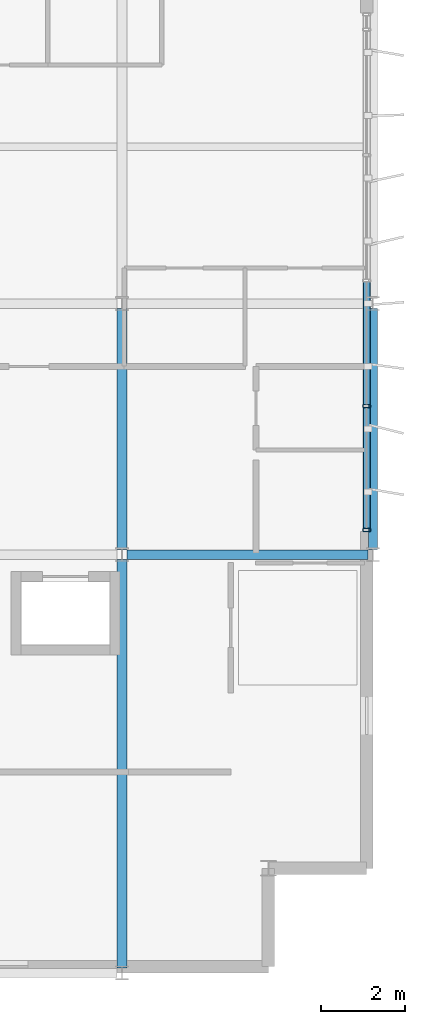
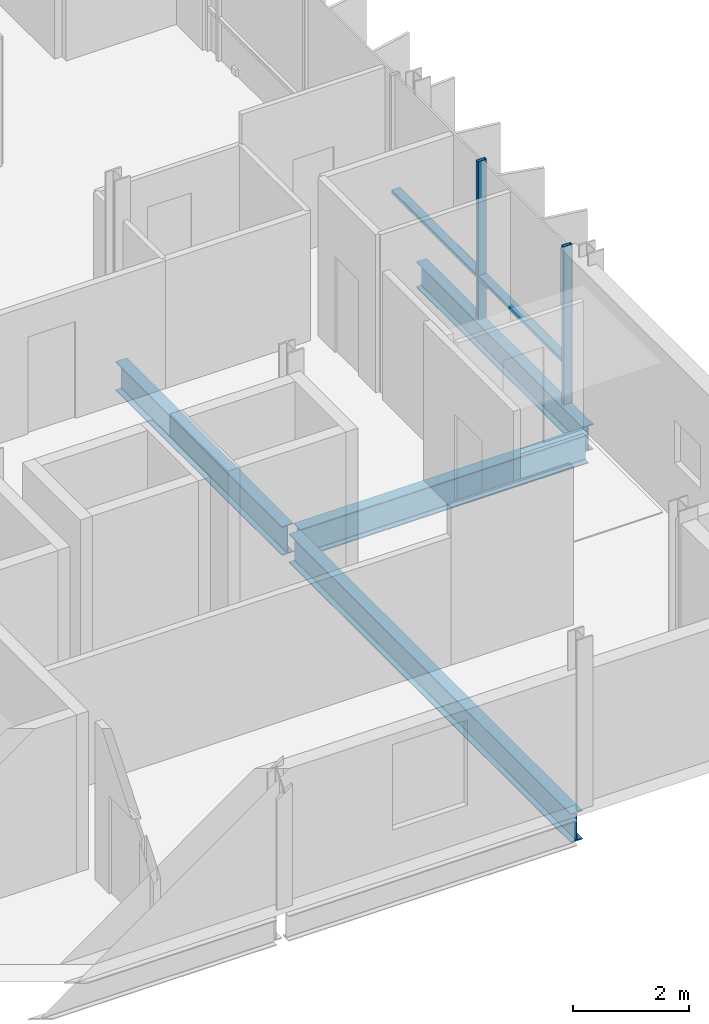
# One storey, part 8 of 18: 4 beams, 4 members, 1 element without a shape of its own.
"""IFC4 building model written with IfcOpenShell, lengths in metres."""

from ifc_helpers import new_model, si_unit, direction, frame, origin, origin_2d, place, context, subcontext, project, spatial, hollow_rectangle, i_section, extrude, material, layer, layer_set, material_profile, profile_set, type_object, element, aggregate, save


model = new_model("IFC4")

# Units and contexts
model_context = context("Model", 3, precision=1e-05, world=origin(), true_north=direction((0.0, 1.0)))
body_context = subcontext(model_context, "Body", "Model", "MODEL_VIEW")
ifc_project = project(units=[si_unit("LENGTHUNIT", "METRE"), si_unit("AREAUNIT", "SQUARE_METRE"), si_unit("VOLUMEUNIT", "CUBIC_METRE"), si_unit("PLANEANGLEUNIT", "RADIAN"), si_unit("MASSUNIT", "GRAM", prefix="KILO")], contexts=[model_context])

# Site, building, storey
site_placement = place(None, origin())
site = spatial("IfcSite", under=ifc_project, at=site_placement, CompositionType="ELEMENT")
building_placement = place(site_placement, origin())
building = spatial("IfcBuilding", under=site, at=building_placement, Name="Brevholm Reach", CompositionType="ELEMENT")
storey_placement = place(building_placement, frame((0.0, 0.0, 243.64990234375)))
storey = spatial("IfcBuildingStorey", under=building, at=storey_placement, Name="L74", CompositionType="ELEMENT", Elevation=243.64990234375)

# Beams
ifc_material_1 = material(Name="Structural Steel S355J2", Category="steel")
ifc_material_profile_1 = material_profile(ifc_material_1, i_section(OverallWidth=0.210693359375, OverallDepth=0.53955078125, WebThickness=0.01171875, FlangeThickness=0.018798828125, FilletRadius=0.0126953125, at=origin_2d()), Name="UKB 533x210x109")
ifc_profile_set_1 = profile_set([ifc_material_profile_1], Name="Structural Steel S355J2")
beam_type_1 = type_object("IfcBeamType", Name="BM-SP539", PredefinedType="SPANDREL", material=ifc_profile_set_1)
beam_1_placement = place(storey_placement, frame((60.0, 10.1201171875, -0.51953125), z_axis=(0.0, 1.0, 0.0), x_axis=(-1.0, 0.0, 0.0)))
element("IfcBeam", 1, at=beam_1_placement, inside=storey, type_object=beam_type_1, Name="L74 SP-01B Framing Beam", PredefinedType="SPANDREL", context=body_context, shape_type="SweptSolid", body=[
    extrude(i_section(OverallWidth=0.210693359375, OverallDepth=0.53955078125, WebThickness=0.01171875, FlangeThickness=0.018798828125, FilletRadius=0.0126953125, at=origin_2d()), origin(), (0.0, 0.0, 1.0), 5.759765625),
])
ifc_material_2 = material(Name="Structural Steel S355J2", Category="steel")
ifc_material_profile_2 = material_profile(ifc_material_2, i_section(OverallWidth=0.22900390625, OverallDepth=0.6123046875, WebThickness=0.011962890625, FlangeThickness=0.01953125, FilletRadius=0.0126953125, at=origin_2d()), Name="UKB 610x229x125")
ifc_profile_set_2 = profile_set([ifc_material_profile_2], Name="Structural Steel S355J2")
beam_type_2 = type_object("IfcBeamType", Name="BM-SP610", PredefinedType="SPANDREL", material=ifc_profile_set_2)
beam_2_placement = place(storey_placement, frame((54.1201171875, 10.0, -0.555908203125), z_axis=(1.0, 0.0, 0.0), x_axis=(0.0, 1.0, 0.0)))
element("IfcBeam", 2, at=beam_2_placement, inside=storey, type_object=beam_type_2, Name="L74 SP-01 Framing Beam", PredefinedType="SPANDREL", context=body_context, shape_type="SweptSolid", body=[
    extrude(i_section(OverallWidth=0.22900390625, OverallDepth=0.6123046875, WebThickness=0.011962890625, FlangeThickness=0.01953125, FilletRadius=0.0126953125, at=origin_2d()), origin(), (0.0, 0.0, 1.0), 5.759765625),
])
beam_3_placement = place(storey_placement, frame((54.0, 0.1201171875, -0.555908203125), z_axis=(0.0, 1.0, 0.0), x_axis=(-1.0, 0.0, 0.0)))
element("IfcBeam", 3, at=beam_3_placement, inside=storey, type_object=beam_type_2, Name="L74 SP-01 Framing Beam", PredefinedType="SPANDREL", context=body_context, shape_type="SweptSolid", body=[
    extrude(i_section(OverallWidth=0.22900390625, OverallDepth=0.6123046875, WebThickness=0.011962890625, FlangeThickness=0.01953125, FilletRadius=0.0126953125, at=origin_2d()), origin(), (0.0, 0.0, 1.0), 9.759765625),
])
beam_4_placement = place(storey_placement, frame((54.0, 10.1201171875, -0.555908203125), z_axis=(0.0, 1.0, 0.0), x_axis=(-1.0, 0.0, 0.0)))
element("IfcBeam", 4, at=beam_4_placement, inside=storey, type_object=beam_type_2, Name="L74 SP-01 Framing Beam", PredefinedType="SPANDREL", context=body_context, shape_type="SweptSolid", body=[
    extrude(i_section(OverallWidth=0.22900390625, OverallDepth=0.6123046875, WebThickness=0.011962890625, FlangeThickness=0.01953125, FilletRadius=0.0126953125, at=origin_2d()), origin(), (0.0, 0.0, 1.0), 5.759765625),
])

# Curtain wall, members
ifc_material_3 = material(Name="Dark Anodised Aluminium 6063-T6 and Solar-Control Glass", Category="aluminium")
ifc_layer = layer(ifc_material_3, 0.179931640625)
ifc_layer_set = layer_set([ifc_layer], Name="Dark Anodised Aluminium 6063-T6 and Solar-Control Glass")
curtain_wall_type = type_object("IfcCurtainWallType", Name="CW-05", PredefinedType="NOTDEFINED", material=ifc_layer_set)
curtain_wall_placement = place(storey_placement, origin())
curtain_wall = element("IfcCurtainWall", 5, at=curtain_wall_placement, inside=storey, type_object=curtain_wall_type, Name="L74 Curtain Wall CW-05", PredefinedType="NOTDEFINED")
ifc_material_4 = material(Name="Dark Anodised Aluminium 6063-T6", Category="aluminium")
ifc_material_profile_3 = material_profile(ifc_material_4, hollow_rectangle(XDim=0.074951171875, YDim=0.179931640625, WallThickness=0.006103515625, InnerFilletRadius=0.006103515625, OuterFilletRadius=0.011962890625, at=origin_2d()), Name="RHS 180x75x6")
ifc_profile_set_3 = profile_set([ifc_material_profile_3], Name="Dark Anodised Aluminium 6063-T6")
member_type_1 = type_object("IfcMemberType", Name="CWM-180", PredefinedType="MULLION", material=ifc_profile_set_3)
member_1_placement = place(storey_placement, frame((59.85009765625, 10.58740234375, 0.0), z_axis=(0.0, 0.0, 1.0), x_axis=(0.0, 1.0, 0.0)))
member_1 = element("IfcMember", 6, at=member_1_placement, type_object=member_type_1, Name="CM-180 Mullion 1", PredefinedType="MULLION", context=body_context, shape_type="SweptSolid", body=[
    extrude(hollow_rectangle(XDim=0.074951171875, YDim=0.179931640625, WallThickness=0.006103515625, InnerFilletRadius=0.006103515625, OuterFilletRadius=0.011962890625, at=origin_2d()), origin(), (0.0, 0.0, 1.0), 3.340087890625),
])
member_2_placement = place(storey_placement, frame((59.85009765625, 13.550048828125, 0.0), z_axis=(0.0, 0.0, 1.0), x_axis=(0.0, 1.0, 0.0)))
member_2 = element("IfcMember", 7, at=member_2_placement, type_object=member_type_1, Name="CM-180 Mullion 2", PredefinedType="MULLION", context=body_context, shape_type="SweptSolid", body=[
    extrude(hollow_rectangle(XDim=0.074951171875, YDim=0.179931640625, WallThickness=0.006103515625, InnerFilletRadius=0.006103515625, OuterFilletRadius=0.011962890625, at=origin_2d()), origin(), (0.0, 0.0, 1.0), 3.340087890625),
])
ifc_material_5 = material(Name="Dark Anodised Aluminium 6063-T6", Category="aluminium")
ifc_material_profile_4 = material_profile(ifc_material_5, hollow_rectangle(XDim=0.074951171875, YDim=0.179931640625, WallThickness=0.006103515625, InnerFilletRadius=0.006103515625, OuterFilletRadius=0.011962890625, at=origin_2d()), Name="RHS 180x75x6")
ifc_profile_set_4 = profile_set([ifc_material_profile_4], Name="Dark Anodised Aluminium 6063-T6")
member_type_2 = type_object("IfcMemberType", Name="CWT-180", PredefinedType="NOTDEFINED", material=ifc_profile_set_4)
member_3_placement = place(storey_placement, frame((59.85009765625, 10.625, 0.900146484375), z_axis=(0.0, 1.0, 0.0), x_axis=(0.0, 0.0, 1.0)))
member_3 = element("IfcMember", 8, at=member_3_placement, type_object=member_type_2, Name="CT-180 Transom 1.1", ObjectType="TRANSOM", PredefinedType="USERDEFINED", context=body_context, shape_type="SweptSolid", body=[
    extrude(hollow_rectangle(XDim=0.074951171875, YDim=0.179931640625, WallThickness=0.006103515625, InnerFilletRadius=0.006103515625, OuterFilletRadius=0.011962890625, at=origin_2d()), origin(), (0.0, 0.0, 1.0), 2.887451171875),
])
member_4_placement = place(storey_placement, frame((59.85009765625, 13.58740234375, 0.900146484375), z_axis=(0.0, 1.0, 0.0), x_axis=(0.0, 0.0, 1.0)))
member_4 = element("IfcMember", 9, at=member_4_placement, type_object=member_type_2, Name="CT-180 Transom 2.1", ObjectType="TRANSOM", PredefinedType="USERDEFINED", context=body_context, shape_type="SweptSolid", body=[
    extrude(hollow_rectangle(XDim=0.074951171875, YDim=0.179931640625, WallThickness=0.006103515625, InnerFilletRadius=0.006103515625, OuterFilletRadius=0.011962890625, at=origin_2d()), origin(), (0.0, 0.0, 1.0), 2.925048828125),
])
aggregate(curtain_wall, [member_1, member_2, member_3, member_4])

save(model, "model.ifc")
